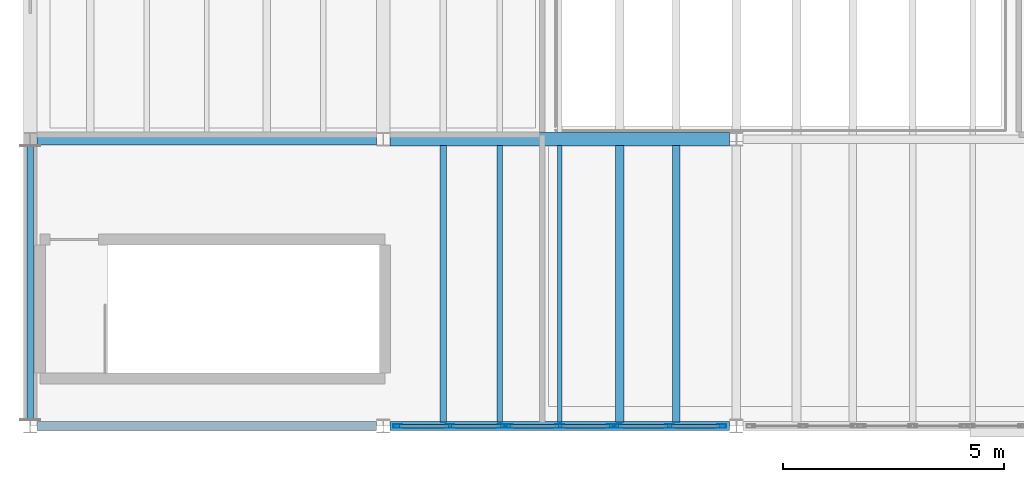
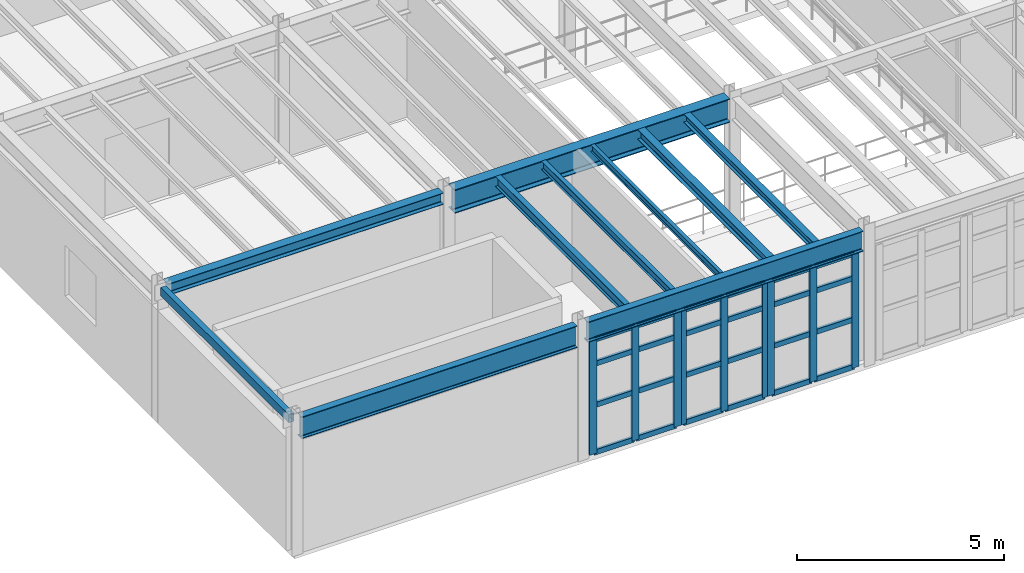
# One storey, part 8 of 78: 33 members, 10 beams, 3 elements without a shape of their own.
"""IFC4 building model written with IfcOpenShell, lengths in metres."""

from ifc_helpers import new_model, si_unit, direction, frame, origin, origin_2d, place, context, subcontext, project, spatial, hollow_rectangle, i_section, extrude, material, material_profile, profile_set, type_object, element, aggregate, save


model = new_model("IFC4")

# Units and contexts
model_context = context("Model", 3, precision=1e-05, world=origin(), true_north=direction((0.0, 1.0)))
body_context = subcontext(model_context, "Body", "Model", "MODEL_VIEW")
ifc_project = project(units=[si_unit("LENGTHUNIT", "METRE"), si_unit("AREAUNIT", "SQUARE_METRE"), si_unit("VOLUMEUNIT", "CUBIC_METRE"), si_unit("PLANEANGLEUNIT", "RADIAN"), si_unit("MASSUNIT", "GRAM", prefix="KILO"), si_unit("THERMODYNAMICTEMPERATUREUNIT", "KELVIN"), si_unit("POWERUNIT", "WATT")], contexts=[model_context])

# Site, building, storey
site_placement = place(None, origin())
site = spatial("IfcSite", under=ifc_project, at=site_placement, CompositionType="ELEMENT")
building_placement = place(site_placement, origin())
building = spatial("IfcBuilding", under=site, at=building_placement, Name="Zhenchuan Central Fire Station", CompositionType="ELEMENT")
storey_placement = place(building_placement, frame((0.0, 0.0, 5.85009765625)))
storey = spatial("IfcBuildingStorey", under=building, at=storey_placement, Name="L02", CompositionType="ELEMENT", Elevation=5.85009765625)

# Beams
ifc_material_1 = material(Name="Steel Q355B", Category="steel")
ifc_material_profile_1 = material_profile(ifc_material_1, i_section(OverallWidth=0.25, OverallDepth=0.340087890625, WebThickness=0.009033203125, FlangeThickness=0.013916015625, FilletRadius=0.01806640625, at=origin_2d()), Name="HM 340x250")
ifc_profile_set_1 = profile_set([ifc_material_profile_1], Name="Steel Q355B")
beam_type_1 = type_object("IfcBeamType", Name="BM-HM340", PredefinedType="BEAM", material=ifc_profile_set_1)
beam_1_placement = place(storey_placement, frame((0.14990234375, 6.5, 3.829833984375), z_axis=(1.0, 0.0, 0.0), x_axis=(0.0, 1.0, 0.0)))
element("IfcBeam", 1, at=beam_1_placement, inside=storey, type_object=beam_type_1, Name="L03 Girder EW 0191", PredefinedType="BEAM", context=body_context, shape_type="SweptSolid", body=[
    extrude(i_section(OverallWidth=0.25, OverallDepth=0.340087890625, WebThickness=0.009033203125, FlangeThickness=0.013916015625, FilletRadius=0.01806640625, at=origin_2d()), origin(), (0.0, 0.0, 1.0), 7.7001953125),
])
ifc_material_profile_2 = material_profile(ifc_material_1, i_section(OverallWidth=0.199951171875, OverallDepth=0.60009765625, WebThickness=0.010986328125, FlangeThickness=0.01708984375, FilletRadius=0.02197265625, at=origin_2d()), Name="HN 600x200")
ifc_profile_set_2 = profile_set([ifc_material_profile_2], Name="Steel Q355B")
beam_type_2 = type_object("IfcBeamType", Name="BM-HN600", PredefinedType="BEAM", material=ifc_profile_set_2)
beam_2_placement = place(storey_placement, frame((8.14990234375, 0.0, 3.699951171875), z_axis=(1.0, 0.0, 0.0), x_axis=(0.0, 1.0, 0.0)))
element("IfcBeam", 2, at=beam_2_placement, inside=storey, type_object=beam_type_2, Name="L03 Girder EW 0184", PredefinedType="BEAM", context=body_context, shape_type="SweptSolid", body=[
    extrude(i_section(OverallWidth=0.199951171875, OverallDepth=0.60009765625, WebThickness=0.010986328125, FlangeThickness=0.01708984375, FilletRadius=0.02197265625, at=origin_2d()), origin(), (0.0, 0.0, 1.0), 7.7001953125),
])
ifc_material_profile_3 = material_profile(ifc_material_1, i_section(OverallWidth=0.199951171875, OverallDepth=0.64990234375, WebThickness=0.011962890625, FlangeThickness=0.02001953125, FilletRadius=0.02197265625, at=origin_2d()), Name="HN 650x200")
ifc_profile_set_3 = profile_set([ifc_material_profile_3], Name="Steel Q355B")
beam_type_3 = type_object("IfcBeamType", Name="BM-HN650-EXT", PredefinedType="BEAM", material=ifc_profile_set_3)
beam_3_placement = place(storey_placement, frame((0.14990234375, 0.0, 3.6748046875), z_axis=(1.0, 0.0, 0.0), x_axis=(0.0, 1.0, 0.0)))
element("IfcBeam", 3, at=beam_3_placement, inside=storey, type_object=beam_type_3, Name="L03 Girder EW 0183", PredefinedType="BEAM", context=body_context, shape_type="SweptSolid", body=[
    extrude(i_section(OverallWidth=0.199951171875, OverallDepth=0.64990234375, WebThickness=0.011962890625, FlangeThickness=0.02001953125, FilletRadius=0.02197265625, at=origin_2d()), origin(), (0.0, 0.0, 1.0), 7.7001953125),
])
ifc_material_profile_4 = material_profile(ifc_material_1, i_section(OverallWidth=0.300048828125, OverallDepth=0.699951171875, WebThickness=0.012939453125, FlangeThickness=0.02392578125, FilletRadius=0.02392578125, at=origin_2d()), Name="HN 700x300")
ifc_profile_set_4 = profile_set([ifc_material_profile_4], Name="Steel Q355B")
beam_type_4 = type_object("IfcBeamType", Name="BM-HN700", PredefinedType="BEAM", material=ifc_profile_set_4)
beam_4_placement = place(storey_placement, frame((8.14990234375, 6.5, 3.64990234375), z_axis=(1.0, 0.0, 0.0), x_axis=(0.0, 1.0, 0.0)))
element("IfcBeam", 4, at=beam_4_placement, inside=storey, type_object=beam_type_4, Name="L03 Girder EW 0192", PredefinedType="BEAM", context=body_context, shape_type="SweptSolid", body=[
    extrude(i_section(OverallWidth=0.300048828125, OverallDepth=0.699951171875, WebThickness=0.012939453125, FlangeThickness=0.02392578125, FilletRadius=0.02392578125, at=origin_2d()), origin(), (0.0, 0.0, 1.0), 7.7001953125),
])

# Curtain wall, members
ifc_material_2 = material(Name="Anodised aluminium and low-E glazing", Category="aluminium")
curtain_wall_type_1 = type_object("IfcCurtainWallType", Name="CW-MOD-01", PredefinedType="USERDEFINED", material=ifc_material_2)
curtain_wall_1_placement = place(storey_placement, origin())
curtain_wall_1 = element("IfcCurtainWall", 5, at=curtain_wall_1_placement, inside=storey, type_object=curtain_wall_type_1, Name="L02 Unitised Curtain Wall 025", ObjectType="UNITISED GLAZING", PredefinedType="USERDEFINED")
ifc_material_3 = material(Name="Anodised aluminium EN AW-6063", Category="aluminium")
ifc_material_profile_5 = material_profile(ifc_material_3, hollow_rectangle(XDim=0.074951171875, YDim=0.199951171875, WallThickness=0.0048828125, at=origin_2d()), Name="ALU-M 200x75")
ifc_profile_set_5 = profile_set([ifc_material_profile_5], Name="Anodised aluminium EN AW-6063")
member_type_1 = type_object("IfcMemberType", Name="CW-MUL160", PredefinedType="MULLION", material=ifc_profile_set_5)
member_1_placement = place(storey_placement, frame((8.33251953125, 0.0, -0.004150390625), z_axis=(0.0, 0.0, 1.0), x_axis=(0.0, 1.0, 0.0)))
member_1 = element("IfcMember", 6, at=member_1_placement, type_object=member_type_1, Name="CW-01 mullion 1", PredefinedType="MULLION", context=body_context, shape_type="SweptSolid", body=[
    extrude(hollow_rectangle(XDim=0.074951171875, YDim=0.199951171875, WallThickness=0.0048828125, at=origin_2d()), origin(), (0.0, 0.0, 1.0), 3.39794921875),
])
member_2_placement = place(storey_placement, frame((9.514404296875, 0.0, -0.004150390625), z_axis=(0.0, 0.0, 1.0), x_axis=(0.0, 1.0, 0.0)))
member_2 = element("IfcMember", 7, at=member_2_placement, type_object=member_type_1, Name="CW-01 mullion 2", PredefinedType="MULLION", context=body_context, shape_type="SweptSolid", body=[
    extrude(hollow_rectangle(XDim=0.074951171875, YDim=0.199951171875, WallThickness=0.0048828125, at=origin_2d()), origin(), (0.0, 0.0, 1.0), 3.39794921875),
])
member_3_placement = place(storey_placement, frame((10.6962890625, 0.0, -0.004150390625), z_axis=(0.0, 0.0, 1.0), x_axis=(0.0, 1.0, 0.0)))
member_3 = element("IfcMember", 8, at=member_3_placement, type_object=member_type_1, Name="CW-01 mullion 3", PredefinedType="MULLION", context=body_context, shape_type="SweptSolid", body=[
    extrude(hollow_rectangle(XDim=0.074951171875, YDim=0.199951171875, WallThickness=0.0048828125, at=origin_2d()), origin(), (0.0, 0.0, 1.0), 3.39794921875),
])

curtain_wall_type_2 = type_object("IfcCurtainWallType", Name="CW-MOD-02", PredefinedType="USERDEFINED", material=ifc_material_2)
curtain_wall_2_placement = place(storey_placement, origin())
curtain_wall_2 = element("IfcCurtainWall", 9, at=curtain_wall_2_placement, inside=storey, type_object=curtain_wall_type_2, Name="L02 Unitised Curtain Wall 026", ObjectType="UNITISED GLAZING", PredefinedType="USERDEFINED")
member_4_placement = place(storey_placement, frame((10.837158203125, 0.0, -0.004150390625), z_axis=(0.0, 0.0, 1.0), x_axis=(0.0, 1.0, 0.0)))
member_4 = element("IfcMember", 10, at=member_4_placement, type_object=member_type_1, Name="CW-02 mullion 1", PredefinedType="MULLION", context=body_context, shape_type="SweptSolid", body=[
    extrude(hollow_rectangle(XDim=0.074951171875, YDim=0.199951171875, WallThickness=0.0048828125, at=origin_2d()), origin(), (0.0, 0.0, 1.0), 3.39794921875),
])
member_5_placement = place(storey_placement, frame((12.0, 0.0, -0.004150390625), z_axis=(0.0, 0.0, 1.0), x_axis=(0.0, 1.0, 0.0)))
member_5 = element("IfcMember", 11, at=member_5_placement, type_object=member_type_1, Name="CW-02 mullion 2", PredefinedType="MULLION", context=body_context, shape_type="SweptSolid", body=[
    extrude(hollow_rectangle(XDim=0.074951171875, YDim=0.199951171875, WallThickness=0.0048828125, at=origin_2d()), origin(), (0.0, 0.0, 1.0), 3.39794921875),
])
member_6_placement = place(storey_placement, frame((13.162841796875, 0.0, -0.004150390625), z_axis=(0.0, 0.0, 1.0), x_axis=(0.0, 1.0, 0.0)))
member_6 = element("IfcMember", 12, at=member_6_placement, type_object=member_type_1, Name="CW-02 mullion 3", PredefinedType="MULLION", context=body_context, shape_type="SweptSolid", body=[
    extrude(hollow_rectangle(XDim=0.074951171875, YDim=0.199951171875, WallThickness=0.0048828125, at=origin_2d()), origin(), (0.0, 0.0, 1.0), 3.39794921875),
])

curtain_wall_type_3 = type_object("IfcCurtainWallType", Name="CW-MOD-03", PredefinedType="USERDEFINED", material=ifc_material_2)
curtain_wall_3_placement = place(storey_placement, origin())
curtain_wall_3 = element("IfcCurtainWall", 13, at=curtain_wall_3_placement, inside=storey, type_object=curtain_wall_type_3, Name="L02 Unitised Curtain Wall 027", ObjectType="UNITISED GLAZING", PredefinedType="USERDEFINED")
member_7_placement = place(storey_placement, frame((13.3037109375, 0.0, -0.004150390625), z_axis=(0.0, 0.0, 1.0), x_axis=(0.0, 1.0, 0.0)))
member_7 = element("IfcMember", 14, at=member_7_placement, type_object=member_type_1, Name="CW-03 mullion 1", PredefinedType="MULLION", context=body_context, shape_type="SweptSolid", body=[
    extrude(hollow_rectangle(XDim=0.074951171875, YDim=0.199951171875, WallThickness=0.0048828125, at=origin_2d()), origin(), (0.0, 0.0, 1.0), 3.39794921875),
])
member_8_placement = place(storey_placement, frame((14.485595703125, 0.0, -0.004150390625), z_axis=(0.0, 0.0, 1.0), x_axis=(0.0, 1.0, 0.0)))
member_8 = element("IfcMember", 15, at=member_8_placement, type_object=member_type_1, Name="CW-03 mullion 2", PredefinedType="MULLION", context=body_context, shape_type="SweptSolid", body=[
    extrude(hollow_rectangle(XDim=0.074951171875, YDim=0.199951171875, WallThickness=0.0048828125, at=origin_2d()), origin(), (0.0, 0.0, 1.0), 3.39794921875),
])
member_9_placement = place(storey_placement, frame((15.66748046875, 0.0, -0.004150390625), z_axis=(0.0, 0.0, 1.0), x_axis=(0.0, 1.0, 0.0)))
member_9 = element("IfcMember", 16, at=member_9_placement, type_object=member_type_1, Name="CW-03 mullion 3", PredefinedType="MULLION", context=body_context, shape_type="SweptSolid", body=[
    extrude(hollow_rectangle(XDim=0.074951171875, YDim=0.199951171875, WallThickness=0.0048828125, at=origin_2d()), origin(), (0.0, 0.0, 1.0), 3.39794921875),
])

# Member
ifc_material_profile_6 = material_profile(ifc_material_3, hollow_rectangle(XDim=0.074951171875, YDim=0.14990234375, WallThickness=0.0048828125, at=origin_2d()), Name="ALU-T 150x75")
ifc_profile_set_6 = profile_set([ifc_material_profile_6], Name="Anodised aluminium EN AW-6063")
member_type_2 = type_object("IfcMemberType", Name="CW-TRN130", PredefinedType="NOTDEFINED", material=ifc_profile_set_6)
member_10_placement = place(storey_placement, frame((8.364990234375, 0.0, 0.0283203125), z_axis=(1.0, 0.0, 0.0), x_axis=(0.0, 1.0, 0.0)))
member_10 = element("IfcMember", 17, at=member_10_placement, type_object=member_type_2, Name="CW-01 transom 1.1", ObjectType="TRANSOM", PredefinedType="USERDEFINED", context=body_context, shape_type="SweptSolid", body=[
    extrude(hollow_rectangle(XDim=0.074951171875, YDim=0.14990234375, WallThickness=0.0048828125, at=origin_2d()), origin(), (0.0, 0.0, 1.0), 1.116943359375),
])

member_11_placement = place(storey_placement, frame((8.364990234375, 0.0, 1.42529296875), z_axis=(1.0, 0.0, 0.0), x_axis=(0.0, 1.0, 0.0)))
member_11 = element("IfcMember", 18, at=member_11_placement, type_object=member_type_2, Name="CW-01 transom 1.2", ObjectType="TRANSOM", PredefinedType="USERDEFINED", context=body_context, shape_type="SweptSolid", body=[
    extrude(hollow_rectangle(XDim=0.074951171875, YDim=0.14990234375, WallThickness=0.0048828125, at=origin_2d()), origin(), (0.0, 0.0, 1.0), 1.116943359375),
])

member_12_placement = place(storey_placement, frame((8.364990234375, 0.0, 2.647216796875), z_axis=(1.0, 0.0, 0.0), x_axis=(0.0, 1.0, 0.0)))
member_12 = element("IfcMember", 19, at=member_12_placement, type_object=member_type_2, Name="CW-01 transom 1.3", ObjectType="TRANSOM", PredefinedType="USERDEFINED", context=body_context, shape_type="SweptSolid", body=[
    extrude(hollow_rectangle(XDim=0.074951171875, YDim=0.14990234375, WallThickness=0.0048828125, at=origin_2d()), origin(), (0.0, 0.0, 1.0), 1.116943359375),
])

member_13_placement = place(storey_placement, frame((8.364990234375, 0.0, 3.361328125), z_axis=(1.0, 0.0, 0.0), x_axis=(0.0, 1.0, 0.0)))
member_13 = element("IfcMember", 20, at=member_13_placement, type_object=member_type_2, Name="CW-01 transom 1.4", ObjectType="TRANSOM", PredefinedType="USERDEFINED", context=body_context, shape_type="SweptSolid", body=[
    extrude(hollow_rectangle(XDim=0.074951171875, YDim=0.14990234375, WallThickness=0.0048828125, at=origin_2d()), origin(), (0.0, 0.0, 1.0), 1.116943359375),
])

member_14_placement = place(storey_placement, frame((9.546875, 0.0, 0.0283203125), z_axis=(1.0, 0.0, 0.0), x_axis=(0.0, 1.0, 0.0)))
member_14 = element("IfcMember", 21, at=member_14_placement, type_object=member_type_2, Name="CW-01 transom 2.1", ObjectType="TRANSOM", PredefinedType="USERDEFINED", context=body_context, shape_type="SweptSolid", body=[
    extrude(hollow_rectangle(XDim=0.074951171875, YDim=0.14990234375, WallThickness=0.0048828125, at=origin_2d()), origin(), (0.0, 0.0, 1.0), 1.116943359375),
])

member_15_placement = place(storey_placement, frame((9.546875, 0.0, 1.42529296875), z_axis=(1.0, 0.0, 0.0), x_axis=(0.0, 1.0, 0.0)))
member_15 = element("IfcMember", 22, at=member_15_placement, type_object=member_type_2, Name="CW-01 transom 2.2", ObjectType="TRANSOM", PredefinedType="USERDEFINED", context=body_context, shape_type="SweptSolid", body=[
    extrude(hollow_rectangle(XDim=0.074951171875, YDim=0.14990234375, WallThickness=0.0048828125, at=origin_2d()), origin(), (0.0, 0.0, 1.0), 1.116943359375),
])

member_16_placement = place(storey_placement, frame((9.546875, 0.0, 2.647216796875), z_axis=(1.0, 0.0, 0.0), x_axis=(0.0, 1.0, 0.0)))
member_16 = element("IfcMember", 23, at=member_16_placement, type_object=member_type_2, Name="CW-01 transom 2.3", ObjectType="TRANSOM", PredefinedType="USERDEFINED", context=body_context, shape_type="SweptSolid", body=[
    extrude(hollow_rectangle(XDim=0.074951171875, YDim=0.14990234375, WallThickness=0.0048828125, at=origin_2d()), origin(), (0.0, 0.0, 1.0), 1.116943359375),
])

member_17_placement = place(storey_placement, frame((9.546875, 0.0, 3.361328125), z_axis=(1.0, 0.0, 0.0), x_axis=(0.0, 1.0, 0.0)))
member_17 = element("IfcMember", 24, at=member_17_placement, type_object=member_type_2, Name="CW-01 transom 2.4", ObjectType="TRANSOM", PredefinedType="USERDEFINED", context=body_context, shape_type="SweptSolid", body=[
    extrude(hollow_rectangle(XDim=0.074951171875, YDim=0.14990234375, WallThickness=0.0048828125, at=origin_2d()), origin(), (0.0, 0.0, 1.0), 1.116943359375),
])

aggregate(curtain_wall_1, [member_1, member_2, member_3, member_10, member_11, member_12, member_13, member_14, member_15, member_16, member_17])

member_18_placement = place(storey_placement, frame((10.86962890625, 0.0, 0.0283203125), z_axis=(1.0, 0.0, 0.0), x_axis=(0.0, 1.0, 0.0)))
member_18 = element("IfcMember", 25, at=member_18_placement, type_object=member_type_2, Name="CW-02 transom 1.1", ObjectType="TRANSOM", PredefinedType="USERDEFINED", context=body_context, shape_type="SweptSolid", body=[
    extrude(hollow_rectangle(XDim=0.074951171875, YDim=0.14990234375, WallThickness=0.0048828125, at=origin_2d()), origin(), (0.0, 0.0, 1.0), 1.097900390625),
])

member_19_placement = place(storey_placement, frame((10.86962890625, 0.0, 1.42529296875), z_axis=(1.0, 0.0, 0.0), x_axis=(0.0, 1.0, 0.0)))
member_19 = element("IfcMember", 26, at=member_19_placement, type_object=member_type_2, Name="CW-02 transom 1.2", ObjectType="TRANSOM", PredefinedType="USERDEFINED", context=body_context, shape_type="SweptSolid", body=[
    extrude(hollow_rectangle(XDim=0.074951171875, YDim=0.14990234375, WallThickness=0.0048828125, at=origin_2d()), origin(), (0.0, 0.0, 1.0), 1.097900390625),
])

member_20_placement = place(storey_placement, frame((10.86962890625, 0.0, 2.647216796875), z_axis=(1.0, 0.0, 0.0), x_axis=(0.0, 1.0, 0.0)))
member_20 = element("IfcMember", 27, at=member_20_placement, type_object=member_type_2, Name="CW-02 transom 1.3", ObjectType="TRANSOM", PredefinedType="USERDEFINED", context=body_context, shape_type="SweptSolid", body=[
    extrude(hollow_rectangle(XDim=0.074951171875, YDim=0.14990234375, WallThickness=0.0048828125, at=origin_2d()), origin(), (0.0, 0.0, 1.0), 1.097900390625),
])

member_21_placement = place(storey_placement, frame((10.86962890625, 0.0, 3.361328125), z_axis=(1.0, 0.0, 0.0), x_axis=(0.0, 1.0, 0.0)))
member_21 = element("IfcMember", 28, at=member_21_placement, type_object=member_type_2, Name="CW-02 transom 1.4", ObjectType="TRANSOM", PredefinedType="USERDEFINED", context=body_context, shape_type="SweptSolid", body=[
    extrude(hollow_rectangle(XDim=0.074951171875, YDim=0.14990234375, WallThickness=0.0048828125, at=origin_2d()), origin(), (0.0, 0.0, 1.0), 1.097900390625),
])

member_22_placement = place(storey_placement, frame((12.032470703125, 0.0, 0.0283203125), z_axis=(1.0, 0.0, 0.0), x_axis=(0.0, 1.0, 0.0)))
member_22 = element("IfcMember", 29, at=member_22_placement, type_object=member_type_2, Name="CW-02 transom 2.1", ObjectType="TRANSOM", PredefinedType="USERDEFINED", context=body_context, shape_type="SweptSolid", body=[
    extrude(hollow_rectangle(XDim=0.074951171875, YDim=0.14990234375, WallThickness=0.0048828125, at=origin_2d()), origin(), (0.0, 0.0, 1.0), 1.097900390625),
])

member_23_placement = place(storey_placement, frame((12.032470703125, 0.0, 1.42529296875), z_axis=(1.0, 0.0, 0.0), x_axis=(0.0, 1.0, 0.0)))
member_23 = element("IfcMember", 30, at=member_23_placement, type_object=member_type_2, Name="CW-02 transom 2.2", ObjectType="TRANSOM", PredefinedType="USERDEFINED", context=body_context, shape_type="SweptSolid", body=[
    extrude(hollow_rectangle(XDim=0.074951171875, YDim=0.14990234375, WallThickness=0.0048828125, at=origin_2d()), origin(), (0.0, 0.0, 1.0), 1.097900390625),
])

member_24_placement = place(storey_placement, frame((12.032470703125, 0.0, 2.647216796875), z_axis=(1.0, 0.0, 0.0), x_axis=(0.0, 1.0, 0.0)))
member_24 = element("IfcMember", 31, at=member_24_placement, type_object=member_type_2, Name="CW-02 transom 2.3", ObjectType="TRANSOM", PredefinedType="USERDEFINED", context=body_context, shape_type="SweptSolid", body=[
    extrude(hollow_rectangle(XDim=0.074951171875, YDim=0.14990234375, WallThickness=0.0048828125, at=origin_2d()), origin(), (0.0, 0.0, 1.0), 1.097900390625),
])

member_25_placement = place(storey_placement, frame((12.032470703125, 0.0, 3.361328125), z_axis=(1.0, 0.0, 0.0), x_axis=(0.0, 1.0, 0.0)))
member_25 = element("IfcMember", 32, at=member_25_placement, type_object=member_type_2, Name="CW-02 transom 2.4", ObjectType="TRANSOM", PredefinedType="USERDEFINED", context=body_context, shape_type="SweptSolid", body=[
    extrude(hollow_rectangle(XDim=0.074951171875, YDim=0.14990234375, WallThickness=0.0048828125, at=origin_2d()), origin(), (0.0, 0.0, 1.0), 1.097900390625),
])

aggregate(curtain_wall_2, [member_4, member_5, member_6, member_18, member_19, member_20, member_21, member_22, member_23, member_24, member_25])

member_26_placement = place(storey_placement, frame((13.336181640625, 0.0, 0.0283203125), z_axis=(1.0, 0.0, 0.0), x_axis=(0.0, 1.0, 0.0)))
member_26 = element("IfcMember", 33, at=member_26_placement, type_object=member_type_2, Name="CW-03 transom 1.1", ObjectType="TRANSOM", PredefinedType="USERDEFINED", context=body_context, shape_type="SweptSolid", body=[
    extrude(hollow_rectangle(XDim=0.074951171875, YDim=0.14990234375, WallThickness=0.0048828125, at=origin_2d()), origin(), (0.0, 0.0, 1.0), 1.116943359375),
])

member_27_placement = place(storey_placement, frame((13.336181640625, 0.0, 1.42529296875), z_axis=(1.0, 0.0, 0.0), x_axis=(0.0, 1.0, 0.0)))
member_27 = element("IfcMember", 34, at=member_27_placement, type_object=member_type_2, Name="CW-03 transom 1.2", ObjectType="TRANSOM", PredefinedType="USERDEFINED", context=body_context, shape_type="SweptSolid", body=[
    extrude(hollow_rectangle(XDim=0.074951171875, YDim=0.14990234375, WallThickness=0.0048828125, at=origin_2d()), origin(), (0.0, 0.0, 1.0), 1.116943359375),
])

member_28_placement = place(storey_placement, frame((13.336181640625, 0.0, 2.647216796875), z_axis=(1.0, 0.0, 0.0), x_axis=(0.0, 1.0, 0.0)))
member_28 = element("IfcMember", 35, at=member_28_placement, type_object=member_type_2, Name="CW-03 transom 1.3", ObjectType="TRANSOM", PredefinedType="USERDEFINED", context=body_context, shape_type="SweptSolid", body=[
    extrude(hollow_rectangle(XDim=0.074951171875, YDim=0.14990234375, WallThickness=0.0048828125, at=origin_2d()), origin(), (0.0, 0.0, 1.0), 1.116943359375),
])

member_29_placement = place(storey_placement, frame((13.336181640625, 0.0, 3.361328125), z_axis=(1.0, 0.0, 0.0), x_axis=(0.0, 1.0, 0.0)))
member_29 = element("IfcMember", 36, at=member_29_placement, type_object=member_type_2, Name="CW-03 transom 1.4", ObjectType="TRANSOM", PredefinedType="USERDEFINED", context=body_context, shape_type="SweptSolid", body=[
    extrude(hollow_rectangle(XDim=0.074951171875, YDim=0.14990234375, WallThickness=0.0048828125, at=origin_2d()), origin(), (0.0, 0.0, 1.0), 1.116943359375),
])

member_30_placement = place(storey_placement, frame((14.51806640625, 0.0, 0.0283203125), z_axis=(1.0, 0.0, 0.0), x_axis=(0.0, 1.0, 0.0)))
member_30 = element("IfcMember", 37, at=member_30_placement, type_object=member_type_2, Name="CW-03 transom 2.1", ObjectType="TRANSOM", PredefinedType="USERDEFINED", context=body_context, shape_type="SweptSolid", body=[
    extrude(hollow_rectangle(XDim=0.074951171875, YDim=0.14990234375, WallThickness=0.0048828125, at=origin_2d()), origin(), (0.0, 0.0, 1.0), 1.116943359375),
])

member_31_placement = place(storey_placement, frame((14.51806640625, 0.0, 1.42529296875), z_axis=(1.0, 0.0, 0.0), x_axis=(0.0, 1.0, 0.0)))
member_31 = element("IfcMember", 38, at=member_31_placement, type_object=member_type_2, Name="CW-03 transom 2.2", ObjectType="TRANSOM", PredefinedType="USERDEFINED", context=body_context, shape_type="SweptSolid", body=[
    extrude(hollow_rectangle(XDim=0.074951171875, YDim=0.14990234375, WallThickness=0.0048828125, at=origin_2d()), origin(), (0.0, 0.0, 1.0), 1.116943359375),
])

member_32_placement = place(storey_placement, frame((14.51806640625, 0.0, 2.647216796875), z_axis=(1.0, 0.0, 0.0), x_axis=(0.0, 1.0, 0.0)))
member_32 = element("IfcMember", 39, at=member_32_placement, type_object=member_type_2, Name="CW-03 transom 2.3", ObjectType="TRANSOM", PredefinedType="USERDEFINED", context=body_context, shape_type="SweptSolid", body=[
    extrude(hollow_rectangle(XDim=0.074951171875, YDim=0.14990234375, WallThickness=0.0048828125, at=origin_2d()), origin(), (0.0, 0.0, 1.0), 1.116943359375),
])

member_33_placement = place(storey_placement, frame((14.51806640625, 0.0, 3.361328125), z_axis=(1.0, 0.0, 0.0), x_axis=(0.0, 1.0, 0.0)))
member_33 = element("IfcMember", 40, at=member_33_placement, type_object=member_type_2, Name="CW-03 transom 2.4", ObjectType="TRANSOM", PredefinedType="USERDEFINED", context=body_context, shape_type="SweptSolid", body=[
    extrude(hollow_rectangle(XDim=0.074951171875, YDim=0.14990234375, WallThickness=0.0048828125, at=origin_2d()), origin(), (0.0, 0.0, 1.0), 1.116943359375),
])

aggregate(curtain_wall_3, [member_7, member_8, member_9, member_26, member_27, member_28, member_29, member_30, member_31, member_32, member_33])

# Beams
ifc_material_profile_7 = material_profile(ifc_material_1, i_section(OverallWidth=0.175048828125, OverallDepth=0.243896484375, WebThickness=0.007080078125, FlangeThickness=0.010986328125, FilletRadius=0.012939453125, at=origin_2d()), Name="HM 244x175")
ifc_profile_set_7 = profile_set([ifc_material_profile_7], Name="Steel Q355B")
beam_type_5 = type_object("IfcBeamType", Name="JS-HM244", PredefinedType="JOIST", material=ifc_profile_set_7)
beam_5_placement = place(storey_placement, frame((14.639892578125, 0.096923828125, 3.8779296875), z_axis=(0.0, 1.0, 0.0), x_axis=(-1.0, 0.0, 0.0)))
element("IfcBeam", 41, at=beam_5_placement, inside=storey, type_object=beam_type_5, Name="L03 Secondary Joist 0301", PredefinedType="JOIST", context=body_context, shape_type="SweptSolid", body=[
    extrude(i_section(OverallWidth=0.175048828125, OverallDepth=0.243896484375, WebThickness=0.007080078125, FlangeThickness=0.010986328125, FilletRadius=0.012939453125, at=origin_2d()), origin(), (0.0, 0.0, 1.0), 6.256103515625),
])
ifc_material_profile_8 = material_profile(ifc_material_1, i_section(OverallWidth=0.199951171875, OverallDepth=0.2939453125, WebThickness=0.008056640625, FlangeThickness=0.011962890625, FilletRadius=0.01611328125, at=origin_2d()), Name="HM 294x200")
ifc_profile_set_8 = profile_set([ifc_material_profile_8], Name="Steel Q355B")
beam_type_6 = type_object("IfcBeamType", Name="JS-HM294", PredefinedType="JOIST", material=ifc_profile_set_8)
beam_6_placement = place(storey_placement, frame((13.360107421875, 0.096923828125, 3.852783203125), z_axis=(0.0, 1.0, 0.0), x_axis=(-1.0, 0.0, 0.0)))
element("IfcBeam", 42, at=beam_6_placement, inside=storey, type_object=beam_type_6, Name="L03 Secondary Joist 0300", PredefinedType="JOIST", context=body_context, shape_type="SweptSolid", body=[
    extrude(i_section(OverallWidth=0.199951171875, OverallDepth=0.2939453125, WebThickness=0.008056640625, FlangeThickness=0.011962890625, FilletRadius=0.01611328125, at=origin_2d()), origin(), (0.0, 0.0, 1.0), 6.256103515625),
])
ifc_material_profile_9 = material_profile(ifc_material_1, i_section(OverallWidth=0.10009765625, OverallDepth=0.199951171875, WebThickness=0.005615234375, FlangeThickness=0.008056640625, FilletRadius=0.010986328125, at=origin_2d()), Name="HN 200x100")
ifc_profile_set_9 = profile_set([ifc_material_profile_9], Name="Steel Q355B")
beam_type_7 = type_object("IfcBeamType", Name="JS-HN200", PredefinedType="JOIST", material=ifc_profile_set_9)
beam_7_placement = place(storey_placement, frame((12.0, 0.096923828125, 3.89990234375), z_axis=(0.0, 1.0, 0.0), x_axis=(-1.0, 0.0, 0.0)))
element("IfcBeam", 43, at=beam_7_placement, inside=storey, type_object=beam_type_7, Name="L03 Secondary Joist 0299", PredefinedType="JOIST", context=body_context, shape_type="SweptSolid", body=[
    extrude(i_section(OverallWidth=0.10009765625, OverallDepth=0.199951171875, WebThickness=0.005615234375, FlangeThickness=0.008056640625, FilletRadius=0.010986328125, at=origin_2d()), origin(), (0.0, 0.0, 1.0), 6.256103515625),
])
ifc_material_profile_10 = material_profile(ifc_material_1, i_section(OverallWidth=0.125, OverallDepth=0.25, WebThickness=0.006103515625, FlangeThickness=0.009033203125, FilletRadius=0.011962890625, at=origin_2d()), Name="HN 250x125")
ifc_profile_set_10 = profile_set([ifc_material_profile_10], Name="Steel Q355B")
beam_type_8 = type_object("IfcBeamType", Name="JS-HN250", PredefinedType="JOIST", material=ifc_profile_set_10)
beam_8_placement = place(storey_placement, frame((10.639892578125, 0.096923828125, 3.875), z_axis=(0.0, 1.0, 0.0), x_axis=(-1.0, 0.0, 0.0)))
element("IfcBeam", 44, at=beam_8_placement, inside=storey, type_object=beam_type_8, Name="L03 Secondary Joist 0298", PredefinedType="JOIST", context=body_context, shape_type="SweptSolid", body=[
    extrude(i_section(OverallWidth=0.125, OverallDepth=0.25, WebThickness=0.006103515625, FlangeThickness=0.009033203125, FilletRadius=0.011962890625, at=origin_2d()), origin(), (0.0, 0.0, 1.0), 6.256103515625),
])
ifc_material_profile_11 = material_profile(ifc_material_1, i_section(OverallWidth=0.14990234375, OverallDepth=0.300048828125, WebThickness=0.006591796875, FlangeThickness=0.009033203125, FilletRadius=0.012939453125, at=origin_2d()), Name="HN 300x150")
ifc_profile_set_11 = profile_set([ifc_material_profile_11], Name="Steel Q355B")
beam_type_9 = type_object("IfcBeamType", Name="JS-HN300", PredefinedType="JOIST", material=ifc_profile_set_11)
beam_9_placement = place(storey_placement, frame((9.360107421875, 0.096923828125, 3.849853515625), z_axis=(0.0, 1.0, 0.0), x_axis=(-1.0, 0.0, 0.0)))
element("IfcBeam", 45, at=beam_9_placement, inside=storey, type_object=beam_type_9, Name="L03 Secondary Joist 0297", PredefinedType="JOIST", context=body_context, shape_type="SweptSolid", body=[
    extrude(i_section(OverallWidth=0.14990234375, OverallDepth=0.300048828125, WebThickness=0.006591796875, FlangeThickness=0.009033203125, FilletRadius=0.012939453125, at=origin_2d()), origin(), (0.0, 0.0, 1.0), 6.256103515625),
])
ifc_material_profile_12 = material_profile(ifc_material_1, hollow_rectangle(XDim=0.14990234375, YDim=0.25, WallThickness=0.010009765625, at=origin_2d()), Name="RHS 250x150x10")
ifc_profile_set_12 = profile_set([ifc_material_profile_12], Name="Steel Q355B")
beam_type_10 = type_object("IfcBeamType", Name="SP-RHS250", PredefinedType="SPANDREL", material=ifc_profile_set_12)
beam_10_placement = place(storey_placement, frame((0.0, 0.14990234375, 3.875), z_axis=(0.0, 1.0, 0.0), x_axis=(-1.0, 0.0, 0.0)))
element("IfcBeam", 46, at=beam_10_placement, inside=storey, type_object=beam_type_10, Name="L03 Girder NS 0274", PredefinedType="SPANDREL", context=body_context, shape_type="SweptSolid", body=[
    extrude(hollow_rectangle(XDim=0.14990234375, YDim=0.25, WallThickness=0.010009765625, at=origin_2d()), origin(), (0.0, 0.0, 1.0), 6.2001953125),
])

save(model, "model.ifc")
